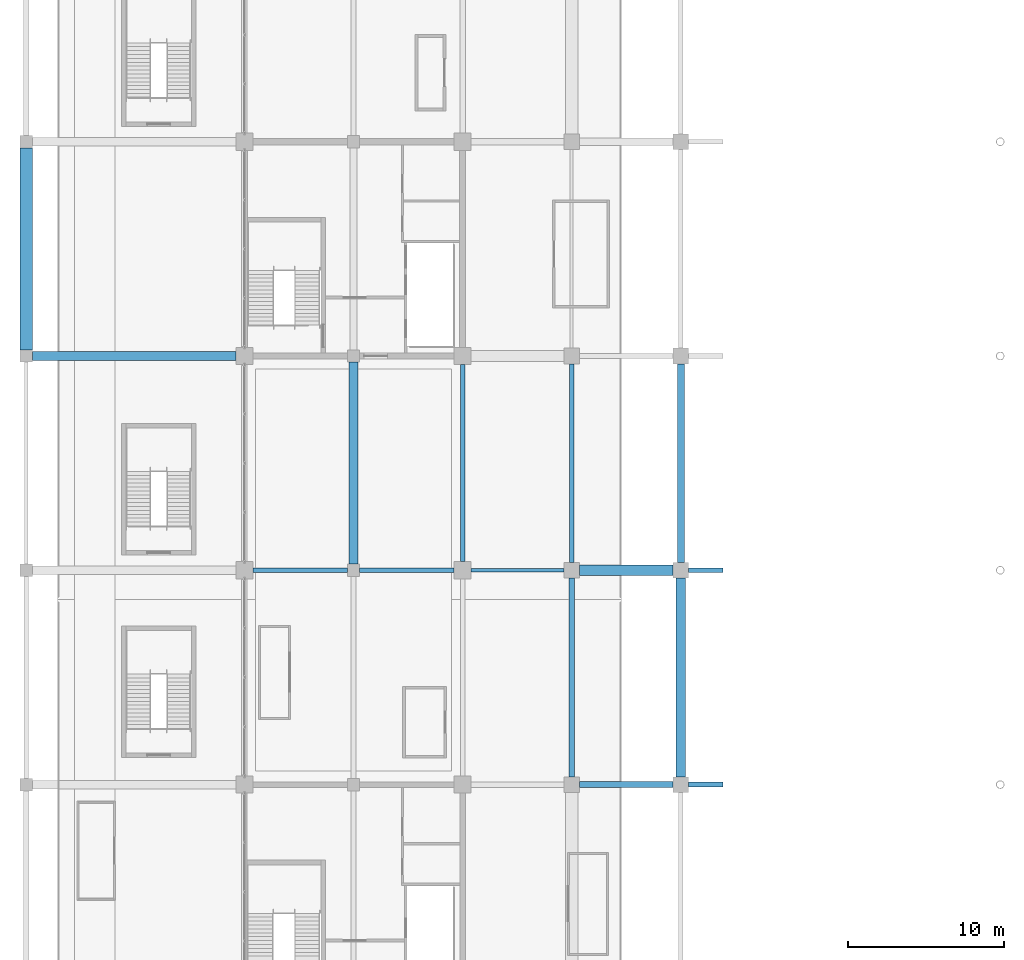
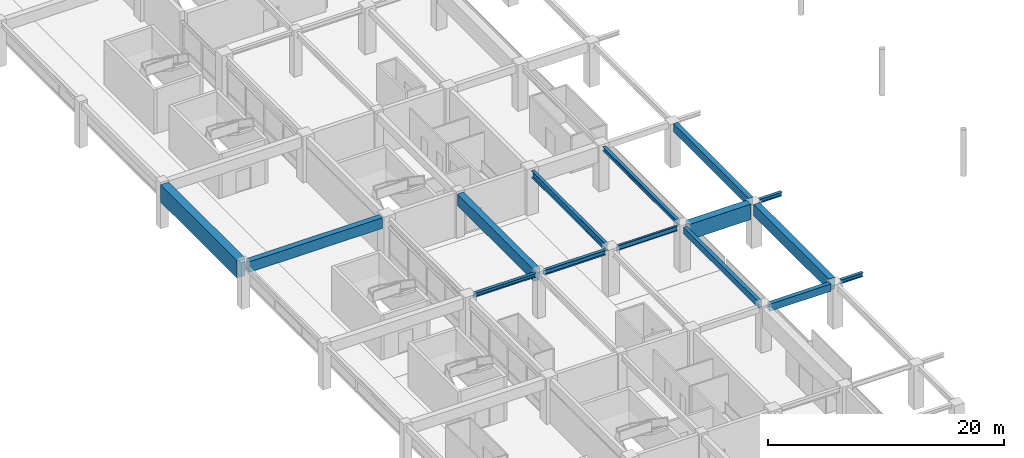
# One storey, part 30 of 91: 15 beams.
"""IFC4 building model written with IfcOpenShell, lengths in metres."""

import ifcopenshell
import ifcopenshell.guid

model = None  # the IFC model being written
_history = None  # IfcOwnerHistory: only IFC2X3 demands one
_inside = {}  # id of a spatial element -> (the spatial element, [elements in it])
_under = {}  # id of a project, library or spatial element -> (it, [spatial elements below it])
_declared = {}  # id of a project -> (the project, [libraries it declares])
_typed = {}  # id of a type object -> (the type object, [elements of that type])
_made_of = {}  # id of a material, layer set ... -> (it, [elements and type objects made of it])


def new_model(schema):
    """Start an empty IFC model of exactly this schema.

    Asked for "IFC4X3", IfcOpenShell would pick the latest addendum, in which some entities
    have other attributes; the version numbers below select the first issue.
    IFC2X3 requires an IfcOwnerHistory on every rooted entity: one is made here for all.
    """
    global model, _history
    if schema == "IFC4X3":
        model = ifcopenshell.file(schema_version=(4, 3, 0, 0))
    else:
        model = ifcopenshell.file(schema=schema)
    _inside.clear()
    _under.clear()
    _declared.clear()
    _typed.clear()
    _made_of.clear()
    _history = None
    if model.schema == "IFC2X3":
        org = make("IfcOrganization", Name="unknown")
        user = make(
            "IfcPersonAndOrganization",
            ThePerson=make("IfcPerson", FamilyName="unknown"),
            TheOrganization=org,
        )
        app = make(
            "IfcApplication",
            ApplicationDeveloper=org,
            Version="unknown",
            ApplicationFullName="unknown",
            ApplicationIdentifier="unknown",
        )
        _history = make(
            "IfcOwnerHistory",
            OwningUser=user,
            OwningApplication=app,
            ChangeAction="ADDED",
            CreationDate=0,
        )
    return model


def make(cls, **values):
    """One entity of the class cls with the attributes given. An attribute that is None is left unset."""
    return model.create_entity(
        cls, **{name: value for name, value in values.items() if value is not None}
    )


def rooted(cls, **values):
    """An entity with a GlobalId (a new one), such as an element, a storey or a relation."""
    return make(cls, GlobalId=ifcopenshell.guid.new(), OwnerHistory=_history, **values)


def si_unit(unit_type, name, prefix=None):
    """IfcSIUnit, for example si_unit("LENGTHUNIT", "METRE", prefix="MILLI")."""
    return make("IfcSIUnit", UnitType=unit_type, Prefix=prefix, Name=name)


def assignment(units):
    """IfcUnitAssignment: the units of a project."""
    return None if units is None else make("IfcUnitAssignment", Units=units)


def point(xyz):
    """IfcCartesianPoint."""
    return None if xyz is None else make("IfcCartesianPoint", Coordinates=xyz)


def direction(xyz):
    """IfcDirection."""
    return None if xyz is None else make("IfcDirection", DirectionRatios=xyz)


def frame(location, z_axis=None, x_axis=None):
    """IfcAxis2Placement3D, a coordinate frame: its origin and axes. An axis left out is left unset."""
    return make(
        "IfcAxis2Placement3D",
        Location=point(location),
        Axis=direction(z_axis),
        RefDirection=direction(x_axis),
    )


def frame_2d(location, x_axis=None):
    """IfcAxis2Placement2D, a coordinate frame in the plane: its origin and x axis."""
    return make(
        "IfcAxis2Placement2D", Location=point(location), RefDirection=direction(x_axis)
    )


def origin():
    """The frame at (0, 0, 0) with its axes left unset."""
    return frame((0.0, 0.0, 0.0))


def origin_2d():
    """The frame at (0, 0) in the plane with its x axis left unset."""
    return frame_2d((0.0, 0.0))


def place(relative_to, where):
    """IfcLocalPlacement: puts the frame where relative to a parent placement (None: the world)."""
    return make(
        "IfcLocalPlacement", PlacementRelTo=relative_to, RelativePlacement=where
    )


def context(
    kind, dimensions, precision=None, world=None, true_north=None, identifier=None
):
    """IfcGeometricRepresentationContext, for example the 3D "Model" context."""
    return make(
        "IfcGeometricRepresentationContext",
        ContextIdentifier=identifier,
        ContextType=kind,
        CoordinateSpaceDimension=dimensions,
        Precision=precision,
        WorldCoordinateSystem=world,
        TrueNorth=true_north,
    )


def subcontext(parent, identifier, kind, view, scale=None):
    """IfcGeometricRepresentationSubContext, for example "Body" below "Model"."""
    return make(
        "IfcGeometricRepresentationSubContext",
        ContextIdentifier=identifier,
        ContextType=kind,
        ParentContext=parent,
        TargetScale=scale,
        TargetView=view,
    )


def project(units=None, contexts=None):
    """IfcProject with its units and contexts."""
    return rooted(
        "IfcProject",
        Name="project",
        RepresentationContexts=contexts,
        UnitsInContext=assignment(units),
    )


def spatial(cls, under=None, at=None, **own):
    """A site, building, storey or space (cls), placed at a placement, below another one or the project."""
    s = rooted(cls, ObjectPlacement=at, **own)
    if under is not None:
        _under.setdefault(under.id(), (under, []))[1].append(s)
    return s


def profile(cls, at=None, kind="AREA", **sizes):
    """A parametric profile (cls). Its sizes go by their IFC names, for example OverallWidth=200.0."""
    return make(cls, ProfileType=kind, Position=at, **sizes)


def rectangle(**sizes):
    """IfcRectangleProfileDef."""
    return profile("IfcRectangleProfileDef", **sizes)


def i_section(**sizes):
    """IfcIShapeProfileDef."""
    return profile("IfcIShapeProfileDef", **sizes)


def extrude(swept, where, along, depth):
    """IfcExtrudedAreaSolid: the profile swept, set in the frame where, extruded along a direction by depth."""
    return make(
        "IfcExtrudedAreaSolid",
        SweptArea=swept,
        Position=where,
        ExtrudedDirection=direction(along),
        Depth=depth,
    )


def shape(context_of_items, identifier, shape_type, items):
    """IfcShapeRepresentation: the items that make up one representation, for example the "Body"."""
    return make(
        "IfcShapeRepresentation",
        ContextOfItems=context_of_items,
        RepresentationIdentifier=identifier,
        RepresentationType=shape_type,
        Items=items,
    )


def material(Name=None, Category=None):
    """IfcMaterial."""
    return make("IfcMaterial", Name=Name, Category=Category)


def material_profile(
    of_material, cross_section, Name=None, Category=None, Priority=None
):
    """IfcMaterialProfile: a cross section and its material."""
    return make(
        "IfcMaterialProfile",
        Name=Name,
        Material=of_material,
        Profile=cross_section,
        Priority=Priority,
        Category=Category,
    )


def profile_set(profiles, Name=None, composite=None):
    """IfcMaterialProfileSet."""
    return make(
        "IfcMaterialProfileSet",
        Name=Name,
        MaterialProfiles=profiles,
        CompositeProfile=composite,
    )


def made_of(thing, what):
    """Note that an element or type object is made of a material, layer set ...; save() writes the relation."""
    if what is not None:
        _made_of.setdefault(what.id(), (what, []))[1].append(thing)
    return thing


def type_object(cls, material=None, **own):
    """A type object (cls), such as IfcWallType, which elements share."""
    return made_of(rooted(cls, **own), material)


def element(
    cls,
    number,
    at=None,
    inside=None,
    cuts=None,
    type_object=None,
    material=None,
    context=None,
    identifier="Body",
    shape_type=None,
    held_by="IfcProductDefinitionShape",
    body=None,
    shapes=None,
    **own,
):
    """One element of the class cls, such as IfcWall. Its Tag is "e" and its number.

    at: its placement. inside: the storey or other place that contains it. cuts: it is an
    opening in that element (IfcRelVoidsElement). A single representation is given by context,
    identifier, shape_type and body (its items); several are given by shapes. held_by: the class
    of the entity that holds the representations. save() writes the other relations.
    """
    e = rooted(cls, Tag="e%d" % number, ObjectPlacement=at, **own)
    if body is not None:
        shapes = [shape(context, identifier, shape_type, body)]
    if shapes is not None:
        e.Representation = make(held_by, Representations=shapes)
    if inside is not None:
        _inside.setdefault(inside.id(), (inside, []))[1].append(e)
    if cuts is not None:
        rooted(
            "IfcRelVoidsElement", RelatingBuildingElement=cuts, RelatedOpeningElement=e
        )
    if type_object is not None:
        _typed.setdefault(type_object.id(), (type_object, []))[1].append(e)
    return made_of(e, material)


def aggregate(whole, parts):
    """IfcRelAggregates: a whole, such as a stair, and the parts it consists of."""
    return rooted("IfcRelAggregates", RelatingObject=whole, RelatedObjects=parts)


def save(model, path):
    """Write the relations noted so far, then the file.

    IfcRelAggregates (storeys below a building ...), IfcRelContainedInSpatialStructure (elements
    in a storey), IfcRelDefinesByType, IfcRelAssociatesMaterial and IfcRelDeclares: one each for
    every whole, place, type object, material and project.
    """
    for whole, parts in _under.values():
        aggregate(whole, parts)
    for where, things in _inside.values():
        rooted(
            "IfcRelContainedInSpatialStructure",
            RelatedElements=things,
            RelatingStructure=where,
        )
    for kind, things in _typed.values():
        rooted("IfcRelDefinesByType", RelatedObjects=things, RelatingType=kind)
    for what, things in _made_of.values():
        rooted("IfcRelAssociatesMaterial", RelatedObjects=things, RelatingMaterial=what)
    for by, libraries in _declared.values():
        rooted("IfcRelDeclares", RelatingContext=by, RelatedDefinitions=libraries)
    model.write(path)


model = new_model("IFC4")

# Units and contexts
model_context = context("Model", 3, precision=1e-05, world=origin(), true_north=direction((0.0, 1.0)))
body_context = subcontext(model_context, "Body", "Model", "MODEL_VIEW")
ifc_project = project(units=[si_unit("LENGTHUNIT", "METRE"), si_unit("AREAUNIT", "SQUARE_METRE"), si_unit("VOLUMEUNIT", "CUBIC_METRE"), si_unit("PLANEANGLEUNIT", "RADIAN"), si_unit("MASSUNIT", "GRAM", prefix="KILO")], contexts=[model_context])

# Site, building, storey
site_placement = place(None, origin())
site = spatial("IfcSite", under=ifc_project, at=site_placement, CompositionType="ELEMENT")
building_placement = place(site_placement, origin())
building = spatial("IfcBuilding", under=site, at=building_placement, Name="Linyun Crest Stadium", CompositionType="ELEMENT")
storey_placement = place(building_placement, frame((0.0, 0.0, 11.39990234375)))
storey = spatial("IfcBuildingStorey", under=building, at=storey_placement, Name="L03", CompositionType="ELEMENT", Elevation=11.39990234375)

# Beams
ifc_material_1 = material(Name="Concrete C40", Category="concrete")
ifc_material_profile_1 = material_profile(ifc_material_1, rectangle(XDim=0.35009765625, YDim=0.64990234375, at=origin_2d()), Name="RCB 650x350")
ifc_profile_set_1 = profile_set([ifc_material_profile_1], Name="Concrete C40")
beam_type_1 = type_object("IfcBeamType", Name="B02", PredefinedType="BEAM", material=ifc_profile_set_1)
beam_1_placement = place(storey_placement, frame((-63.0, -24.875, 4.255126953125), z_axis=(0.0, 1.0, 0.0), x_axis=(-1.0, 0.0, 0.0)))
element("IfcBeam", 1, at=beam_1_placement, inside=storey, type_object=beam_type_1, Name="Frame beam B02 L03 287", PredefinedType="BEAM", context=body_context, shape_type="SweptSolid", body=[
    extrude(rectangle(XDim=0.35009765625, YDim=0.64990234375, at=origin_2d()), origin(), (0.0, 0.0, 1.0), 12.75),
])
ifc_material_2 = material(Name="Concrete C40", Category="concrete")
ifc_material_profile_2 = material_profile(ifc_material_2, rectangle(XDim=0.39990234375, YDim=0.75, at=origin_2d()), Name="RCB 750x400")
ifc_profile_set_2 = profile_set([ifc_material_profile_2], Name="Concrete C40")
beam_type_2 = type_object("IfcBeamType", Name="B03", PredefinedType="BEAM", material=ifc_profile_set_2)
beam_2_placement = place(storey_placement, frame((-62.5, -25.375, 4.1650390625), z_axis=(1.0, 0.0, 0.0), x_axis=(0.0, 1.0, 0.0)))
element("IfcBeam", 2, at=beam_2_placement, inside=storey, type_object=beam_type_2, Name="Frame beam B03 L03 236", PredefinedType="BEAM", context=body_context, shape_type="SweptSolid", body=[
    extrude(rectangle(XDim=0.39990234375, YDim=0.75, at=origin_2d()), origin(), (0.0, 0.0, 1.0), 6.0),
])
ifc_material_3 = material(Name="Concrete C40", Category="concrete")
ifc_material_profile_3 = material_profile(ifc_material_3, rectangle(XDim=0.449951171875, YDim=0.85009765625, at=origin_2d()), Name="RCB 850x450")
ifc_profile_set_3 = profile_set([ifc_material_profile_3], Name="Concrete C40")
beam_type_3 = type_object("IfcBeamType", Name="B04", PredefinedType="BEAM", material=ifc_profile_set_3)
beam_3_placement = place(storey_placement, frame((-56.0, -11.125, 4.114990234375), z_axis=(0.0, 1.0, 0.0), x_axis=(-1.0, 0.0, 0.0)))
element("IfcBeam", 3, at=beam_3_placement, inside=storey, type_object=beam_type_3, Name="Frame beam B04 L03 295", PredefinedType="BEAM", context=body_context, shape_type="SweptSolid", body=[
    extrude(rectangle(XDim=0.449951171875, YDim=0.85009765625, at=origin_2d()), origin(), (0.0, 0.0, 1.0), 12.75),
])
ifc_material_4 = material(Name="Steel Q355C", Category="steel")
ifc_material_profile_4 = material_profile(ifc_material_4, i_section(OverallWidth=0.300048828125, OverallDepth=0.389892578125, WebThickness=0.010009765625, FlangeThickness=0.01611328125, at=origin_2d()), Name="HM 390x300")
ifc_profile_set_4 = profile_set([ifc_material_profile_4], Name="Steel Q355C")
beam_type_4 = type_object("IfcBeamType", Name="B06", PredefinedType="BEAM", material=ifc_profile_set_4)
beam_4_placement = place(storey_placement, frame((-83.449951171875, -11.625, 4.385009765625), z_axis=(1.0, 0.0, 0.0), x_axis=(0.0, 1.0, 0.0)))
element("IfcBeam", 4, at=beam_4_placement, inside=storey, type_object=beam_type_4, Name="Frame beam B06 L03 238", PredefinedType="BEAM", context=body_context, shape_type="SweptSolid", body=[
    extrude(i_section(OverallWidth=0.300048828125, OverallDepth=0.389892578125, WebThickness=0.010009765625, FlangeThickness=0.01611328125, at=origin_2d()), origin(), (0.0, 0.0, 1.0), 6.050048828125),
])
for number, where, z_axis, x_axis, name in (
    (5, (-55.5, -25.375, 4.34521484375), (1.0, 0.0, 0.0), (0.0, 1.0, 0.0), "Balcony bracket beam B06 L03 257"),
    (6, (-55.5, -11.625, 4.34521484375), (1.0, 0.0, 0.0), (0.0, 1.0, 0.0), "Balcony bracket beam B06 L03 258"),
):
    element("IfcBeam", number, at=place(storey_placement, frame(where, z_axis=z_axis, x_axis=x_axis)), inside=storey, type_object=beam_type_4, Name=name, PredefinedType="BEAM", context=body_context, shape_type="SweptSolid", body=[
        extrude(i_section(OverallWidth=0.300048828125, OverallDepth=0.389892578125, WebThickness=0.010009765625, FlangeThickness=0.01611328125, at=origin_2d()), origin(), (0.0, 0.0, 1.0), 2.199951171875),
    ])
ifc_material_5 = material(Name="Steel Q355C", Category="steel")
ifc_material_profile_5 = material_profile(ifc_material_5, i_section(OverallWidth=0.300048828125, OverallDepth=0.43994140625, WebThickness=0.010986328125, FlangeThickness=0.01806640625, at=origin_2d()), Name="HM 440x300")
ifc_profile_set_5 = profile_set([ifc_material_profile_5], Name="Steel Q355C")
beam_type_5 = type_object("IfcBeamType", Name="B07", PredefinedType="BEAM", material=ifc_profile_set_5)
beam_5_placement = place(storey_placement, frame((-63.0, -11.125, 4.360107421875), z_axis=(0.0, 1.0, 0.0), x_axis=(-1.0, 0.0, 0.0)))
element("IfcBeam", 7, at=beam_5_placement, inside=storey, type_object=beam_type_5, Name="Frame beam B07 L03 288", PredefinedType="BEAM", context=body_context, shape_type="SweptSolid", body=[
    extrude(i_section(OverallWidth=0.300048828125, OverallDepth=0.43994140625, WebThickness=0.010986328125, FlangeThickness=0.01806640625, at=origin_2d()), origin(), (0.0, 0.0, 1.0), 12.75),
])
ifc_material_6 = material(Name="Steel Q355C", Category="steel")
ifc_material_profile_6 = material_profile(ifc_material_6, i_section(OverallWidth=0.300048828125, OverallDepth=0.488037109375, WebThickness=0.010986328125, FlangeThickness=0.01806640625, at=origin_2d()), Name="HM 488x300")
ifc_profile_set_6 = profile_set([ifc_material_profile_6], Name="Steel Q355C")
beam_type_6 = type_object("IfcBeamType", Name="B08", PredefinedType="BEAM", material=ifc_profile_set_6)
beam_6_placement = place(storey_placement, frame((-76.60009765625, -11.625, 4.336181640625), z_axis=(1.0, 0.0, 0.0), x_axis=(0.0, 1.0, 0.0)))
element("IfcBeam", 8, at=beam_6_placement, inside=storey, type_object=beam_type_6, Name="Frame beam B08 L03 239", PredefinedType="BEAM", context=body_context, shape_type="SweptSolid", body=[
    extrude(i_section(OverallWidth=0.300048828125, OverallDepth=0.488037109375, WebThickness=0.010986328125, FlangeThickness=0.01806640625, at=origin_2d()), origin(), (0.0, 0.0, 1.0), 6.050048828125),
])
ifc_material_7 = material(Name="Steel Q355C", Category="steel")
ifc_material_profile_7 = material_profile(ifc_material_7, i_section(OverallWidth=0.199951171875, OverallDepth=0.5, WebThickness=0.010009765625, FlangeThickness=0.01611328125, at=origin_2d()), Name="HN 500x200")
ifc_profile_set_7 = profile_set([ifc_material_profile_7], Name="Steel Q355C")
beam_type_7 = type_object("IfcBeamType", Name="B10", PredefinedType="BEAM", material=ifc_profile_set_7)
beam_7_placement = place(storey_placement, frame((-69.449951171875, -11.625, 4.330078125), z_axis=(1.0, 0.0, 0.0), x_axis=(0.0, 1.0, 0.0)))
element("IfcBeam", 9, at=beam_7_placement, inside=storey, type_object=beam_type_7, Name="Frame beam B10 L03 240", PredefinedType="BEAM", context=body_context, shape_type="SweptSolid", body=[
    extrude(i_section(OverallWidth=0.199951171875, OverallDepth=0.5, WebThickness=0.010009765625, FlangeThickness=0.01611328125, at=origin_2d()), origin(), (0.0, 0.0, 1.0), 5.949951171875),
])
ifc_material_8 = material(Name="Steel Q355C", Category="steel")
ifc_material_profile_8 = material_profile(ifc_material_8, i_section(OverallWidth=0.300048828125, OverallDepth=0.699951171875, WebThickness=0.012939453125, FlangeThickness=0.02392578125, at=origin_2d()), Name="HN 700x300")
ifc_profile_set_8 = profile_set([ifc_material_profile_8], Name="Steel Q355C")
beam_type_8 = type_object("IfcBeamType", Name="B12", PredefinedType="BEAM", material=ifc_profile_set_8)
beam_8_placement = place(storey_placement, frame((-70.0, -11.074951171875, 4.22998046875), z_axis=(0.0, 1.0, 0.0), x_axis=(-1.0, 0.0, 0.0)))
element("IfcBeam", 10, at=beam_8_placement, inside=storey, type_object=beam_type_8, Name="Frame beam B12 L03 283", PredefinedType="BEAM", context=body_context, shape_type="SweptSolid", body=[
    extrude(i_section(OverallWidth=0.300048828125, OverallDepth=0.699951171875, WebThickness=0.012939453125, FlangeThickness=0.02392578125, at=origin_2d()), origin(), (0.0, 0.0, 1.0), 12.64990234375),
])
ifc_material_9 = material(Name="Concrete C50", Category="concrete")
ifc_material_profile_9 = material_profile(ifc_material_9, rectangle(XDim=0.699951171875, YDim=1.60009765625, at=origin_2d()), Name="RCB 1600x700")
ifc_profile_set_9 = profile_set([ifc_material_profile_9], Name="Concrete C50")
beam_type_9 = type_object("IfcBeamType", Name="B13", PredefinedType="BEAM", material=ifc_profile_set_9)
beam_9_placement = place(storey_placement, frame((-62.5, -11.625, 3.739990234375), z_axis=(1.0, 0.0, 0.0), x_axis=(0.0, 1.0, 0.0)))
element("IfcBeam", 11, at=beam_9_placement, inside=storey, type_object=beam_type_9, Name="Frame beam B13 L03 241", PredefinedType="BEAM", context=body_context, shape_type="SweptSolid", body=[
    extrude(rectangle(XDim=0.699951171875, YDim=1.60009765625, at=origin_2d()), origin(), (0.0, 0.0, 1.0), 6.0),
])
ifc_material_10 = material(Name="Concrete C50", Category="concrete")
ifc_material_profile_10 = material_profile(ifc_material_10, rectangle(XDim=0.800048828125, YDim=1.800048828125, at=origin_2d()), Name="RCB 1800x800")
ifc_profile_set_10 = profile_set([ifc_material_profile_10], Name="Concrete C50")
beam_type_10 = type_object("IfcBeamType", Name="B14", PredefinedType="BEAM", material=ifc_profile_set_10)
beam_10_placement = place(storey_placement, frame((-98.0, 2.52490234375, 3.68017578125), z_axis=(0.0, 1.0, 0.0), x_axis=(-1.0, 0.0, 0.0)))
element("IfcBeam", 12, at=beam_10_placement, inside=storey, type_object=beam_type_10, Name="Frame beam B14 L03 267", PredefinedType="BEAM", context=body_context, shape_type="SweptSolid", body=[
    extrude(rectangle(XDim=0.800048828125, YDim=1.800048828125, at=origin_2d()), origin(), (0.0, 0.0, 1.0), 12.9501953125),
])
ifc_material_11 = material(Name="Concrete C50", Category="concrete")
ifc_material_profile_11 = material_profile(ifc_material_11, rectangle(XDim=0.550048828125, YDim=1.10009765625, at=origin_2d()), Name="RCB 1100x550")
ifc_profile_set_11 = profile_set([ifc_material_profile_11], Name="Concrete C50")
beam_type_11 = type_object("IfcBeamType", Name="TB01", PredefinedType="USERDEFINED", material=ifc_profile_set_11)
beam_11_placement = place(storey_placement, frame((-97.60009765625, 2.125, 4.030029296875), z_axis=(1.0, 0.0, 0.0), x_axis=(0.0, 1.0, 0.0)))
element("IfcBeam", 13, at=beam_11_placement, inside=storey, type_object=beam_type_11, Name="Frame beam TB01 L03 242", ObjectType="GIRDER", PredefinedType="USERDEFINED", context=body_context, shape_type="SweptSolid", body=[
    extrude(rectangle(XDim=0.550048828125, YDim=1.10009765625, at=origin_2d()), origin(), (0.0, 0.0, 1.0), 13.050048828125),
])
ifc_material_12 = material(Name="Concrete C50", Category="concrete")
ifc_material_profile_12 = material_profile(ifc_material_12, rectangle(XDim=0.60009765625, YDim=1.199951171875, at=origin_2d()), Name="RCB 1200x600")
ifc_profile_set_12 = profile_set([ifc_material_profile_12], Name="Concrete C50")
beam_type_12 = type_object("IfcBeamType", Name="TB02", PredefinedType="USERDEFINED", material=ifc_profile_set_12)
beam_12_placement = place(storey_placement, frame((-77.0, -11.22509765625, 3.97998046875), z_axis=(0.0, 1.0, 0.0), x_axis=(-1.0, 0.0, 0.0)))
element("IfcBeam", 14, at=beam_12_placement, inside=storey, type_object=beam_type_12, Name="Frame beam TB02 L03 277", ObjectType="GIRDER", PredefinedType="USERDEFINED", context=body_context, shape_type="SweptSolid", body=[
    extrude(rectangle(XDim=0.60009765625, YDim=1.199951171875, at=origin_2d()), origin(), (0.0, 0.0, 1.0), 12.9501953125),
])
beam_13_placement = place(storey_placement, frame((-56.0, -24.875, 3.940185546875), z_axis=(0.0, 1.0, 0.0), x_axis=(-1.0, 0.0, 0.0)))
element("IfcBeam", 15, at=beam_13_placement, inside=storey, type_object=beam_type_12, Name="Frame beam TB02 L03 294", ObjectType="GIRDER", PredefinedType="USERDEFINED", context=body_context, shape_type="SweptSolid", body=[
    extrude(rectangle(XDim=0.60009765625, YDim=1.199951171875, at=origin_2d()), origin(), (0.0, 0.0, 1.0), 12.75),
])

save(model, "model.ifc")
